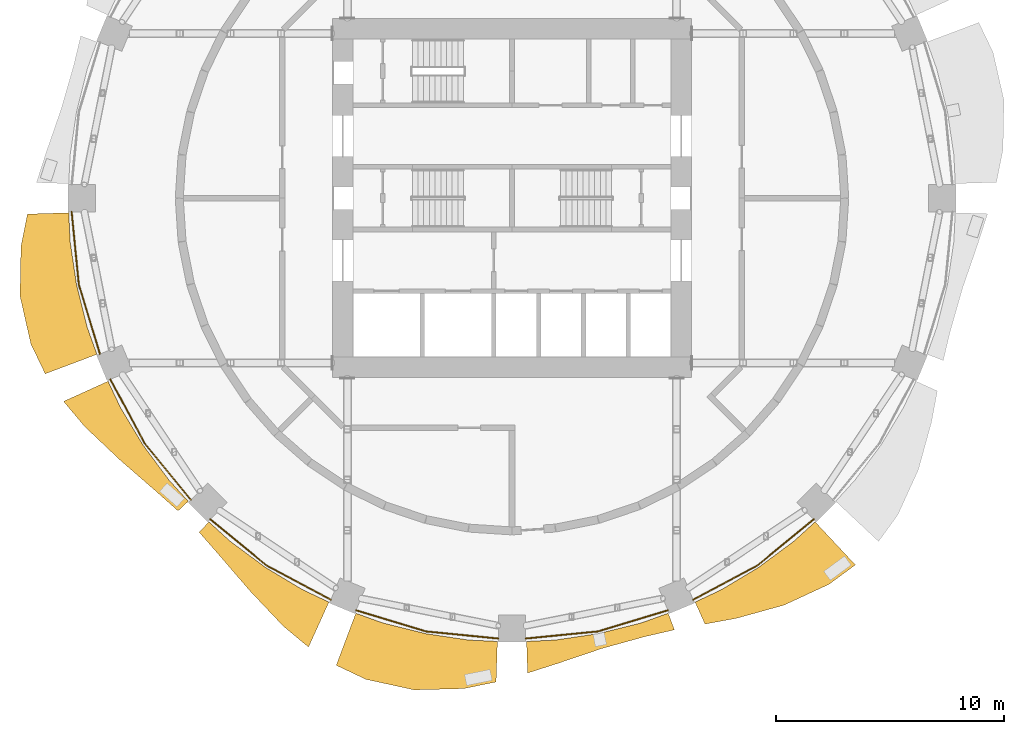
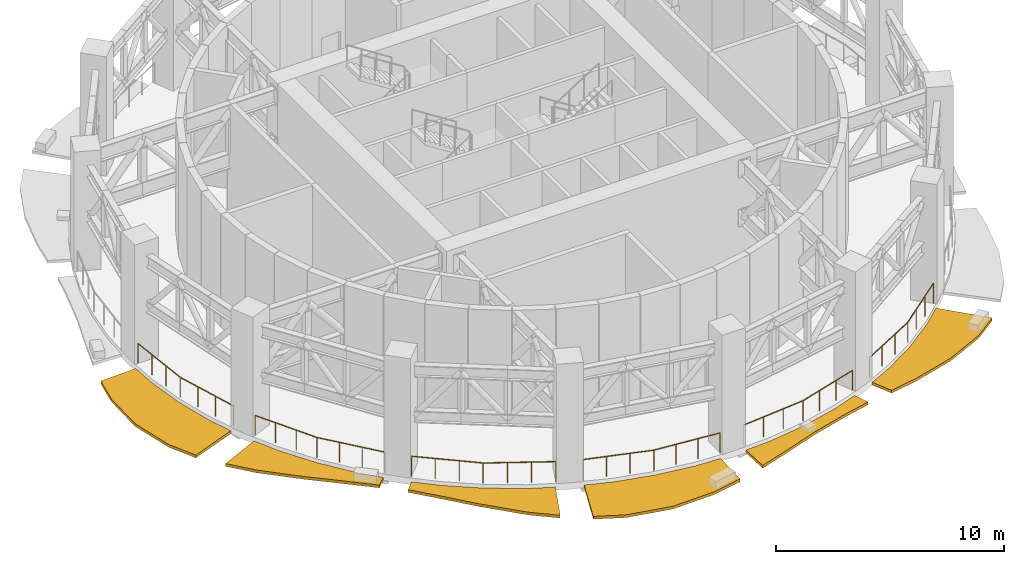
# One storey, part 10 of 14: 6 railings, 6 shading devices.
"""IFC4 building model written with IfcOpenShell, lengths in metres."""

from ifc_helpers import new_model, si_unit, direction, frame, origin, origin_2d, place, context, subcontext, project, spatial, polyline, circle, outline, extrude, material, type_object, element, save


model = new_model("IFC4")

# Units and contexts
model_context = context("Model", 3, precision=1e-05, world=origin(), true_north=direction((0.0, 1.0)))
body_context = subcontext(model_context, "Body", "Model", "MODEL_VIEW")
ifc_project = project(units=[si_unit("LENGTHUNIT", "METRE"), si_unit("AREAUNIT", "SQUARE_METRE"), si_unit("VOLUMEUNIT", "CUBIC_METRE"), si_unit("PLANEANGLEUNIT", "RADIAN"), si_unit("MASSUNIT", "GRAM", prefix="KILO")], contexts=[model_context])

# Site, building, storey
site_placement = place(None, origin())
site = spatial("IfcSite", under=ifc_project, at=site_placement, CompositionType="ELEMENT")
building_placement = place(site_placement, origin())
building = spatial("IfcBuilding", under=site, at=building_placement, Name="Polderwave Tower", CompositionType="ELEMENT")
storey_placement = place(building_placement, frame((0.0, 0.0, 66.35009765625)))
storey = spatial("IfcBuildingStorey", under=building, at=storey_placement, Name="L17", CompositionType="ELEMENT", Elevation=66.35009765625)

# Shading devices
ifc_material_1 = material(Name="Terracotta", Category="masonry")
shading_device_type = type_object("IfcShadingDeviceType", Name="Terracotta sunshade band", PredefinedType="USERDEFINED", material=ifc_material_1)
shading_device_1_placement = place(storey_placement, frame((0.0, 0.0, -0.35009765625)))
element("IfcShadingDevice", 1, at=shading_device_1_placement, inside=storey, type_object=shading_device_type, Name="Sunshade band L17 9", ObjectType="SUNSHADE", PredefinedType="USERDEFINED", context=body_context, shape_type="SweptSolid", body=[
    extrude(outline(polyline([(-19.448486328125, -0.638427734375), (-19.38623046875, -1.909423828125), (-19.105712890625, -3.80029296875), (-18.64111328125, -5.65478515625), (-18.21240234375, -6.852783203125), (-20.480224609375, -7.706298828125), (-21.10791015625, -6.403076171875), (-21.5869140625, -4.2939453125), (-21.54443359375, -2.121826171875), (-21.2587890625, -0.69775390625), (-19.448486328125, -0.638427734375)])), origin(), (0.0, 0.0, 1.0), 0.14990234375),
])
shading_device_2_placement = place(storey_placement, frame((0.0, 0.0, -0.35009765625)))
element("IfcShadingDevice", 2, at=shading_device_2_placement, inside=storey, type_object=shading_device_type, Name="Sunshade band L17 10", ObjectType="SUNSHADE", PredefinedType="USERDEFINED", context=body_context, shape_type="SweptSolid", body=[
    extrude(outline(polyline([(-17.723876953125, -8.032470703125), (-17.1796875, -9.182861328125), (-16.197021484375, -10.822509765625), (-15.05810546875, -12.35791015625), (-14.20361328125, -13.30078125), (-14.653564453125, -13.72216796875), (-15.6455078125, -12.840087890625), (-17.197021484375, -11.49072265625), (-18.749267578125, -10.021728515625), (-19.6748046875, -8.91650390625), (-17.723876953125, -8.032470703125)])), origin(), (0.0, 0.0, 1.0), 0.14990234375),
])
shading_device_3_placement = place(storey_placement, frame((0.0, 0.0, -0.35009765625)))
element("IfcShadingDevice", 3, at=shading_device_3_placement, inside=storey, type_object=shading_device_type, Name="Sunshade band L17 11", ObjectType="SUNSHADE", PredefinedType="USERDEFINED", context=body_context, shape_type="SweptSolid", body=[
    extrude(outline(polyline([(-13.30078125, -14.20361328125), (-12.35791015625, -15.05810546875), (-10.822509765625, -16.197021484375), (-9.182861328125, -17.1796875), (-8.032470703125, -17.723876953125), (-8.927490234375, -19.69873046875), (-10.036376953125, -18.776611328125), (-11.507080078125, -17.221435546875), (-12.851318359375, -15.6591796875), (-13.726318359375, -14.658203125), (-13.30078125, -14.20361328125)])), origin(), (0.0, 0.0, 1.0), 0.14990234375),
])
shading_device_4_placement = place(storey_placement, frame((0.0, 0.0, -0.35009765625)))
element("IfcShadingDevice", 4, at=shading_device_4_placement, inside=storey, type_object=shading_device_type, Name="Sunshade band L17 12", ObjectType="SUNSHADE", PredefinedType="USERDEFINED", context=body_context, shape_type="SweptSolid", body=[
    extrude(outline(polyline([(-6.852783203125, -18.21240234375), (-5.65478515625, -18.64111328125), (-3.80029296875, -19.105712890625), (-1.909423828125, -19.38623046875), (-0.638427734375, -19.448486328125), (-0.69677734375, -21.227783203125), (-2.119384765625, -21.518310546875), (-4.29150390625, -21.574951171875), (-6.40478515625, -21.11376953125), (-7.71240234375, -20.49658203125), (-6.852783203125, -18.21240234375)])), origin(), (0.0, 0.0, 1.0), 0.14990234375),
])
shading_device_5_placement = place(storey_placement, frame((0.0, 0.0, -0.35009765625)))
element("IfcShadingDevice", 5, at=shading_device_5_placement, inside=storey, type_object=shading_device_type, Name="Sunshade band L17 13", ObjectType="SUNSHADE", PredefinedType="USERDEFINED", context=body_context, shape_type="SweptSolid", body=[
    extrude(outline(polyline([(0.638427734375, -19.448486328125), (1.909423828125, -19.38623046875), (3.80029296875, -19.105712890625), (5.65478515625, -18.64111328125), (6.852783203125, -18.21240234375), (7.126708984375, -18.939697265625), (5.83544921875, -19.23681640625), (3.93115234375, -19.762939453125), (2.010498046875, -20.41259765625), (0.683837890625, -20.8369140625), (0.638427734375, -19.448486328125)])), origin(), (0.0, 0.0, 1.0), 0.14990234375),
])
shading_device_6_placement = place(storey_placement, frame((0.0, 0.0, -0.35009765625)))
element("IfcShadingDevice", 6, at=shading_device_6_placement, inside=storey, type_object=shading_device_type, Name="Sunshade band L17 14", ObjectType="SUNSHADE", PredefinedType="USERDEFINED", context=body_context, shape_type="SweptSolid", body=[
    extrude(outline(polyline([(8.032470703125, -17.723876953125), (9.182861328125, -17.1796875), (10.822509765625, -16.197021484375), (12.35791015625, -15.05810546875), (13.30078125, -14.20361328125), (15.06689453125, -16.089599609375), (13.906005859375, -16.944580078125), (11.93212890625, -17.857666015625), (9.852294921875, -18.4326171875), (8.46923828125, -18.6875), (8.032470703125, -17.723876953125)])), origin(), (0.0, 0.0, 1.0), 0.14990234375),
])

# Railings
ifc_material_2 = material(Name="Stainless steel 316", Category="steel")
railing_type = type_object("IfcRailingType", Name="Wind floor guard 1100", PredefinedType="GUARDRAIL", material=ifc_material_2)
railing_1_placement = place(storey_placement, frame((-19.32080078125, -0.60009765625, 0.0)))
element("IfcRailing", 7, at=railing_1_placement, inside=storey, type_object=railing_type, Name="Wind floor guard L17 9", PredefinedType="GUARDRAIL", context=body_context, shape_type="SweptSolid", body=[
    extrude(circle(Radius=0.02490234375, at=origin_2d()), frame((0.0, 0.0, 1.0751953125), z_axis=(0.097998644661, -0.995186548163, 0.0), x_axis=(0.995186548163, 0.097998644661, 0.0)), (0.0, 0.0, 1.0), 3.1962890625),
    extrude(circle(Radius=0.02490234375, at=origin_2d()), frame((0.313232421875, -3.180908203125, 1.0751953125), z_axis=(0.290261786496, -0.956947279269, 0.0), x_axis=(0.956947279269, 0.290261786496, 0.0)), (0.0, 0.0, 1.0), 3.1962890625),
    extrude(circle(Radius=0.02001953125, at=origin_2d()), origin(), (0.0, 0.0, 1.0), 1.050048828125),
    extrude(circle(Radius=0.02001953125, at=origin_2d()), frame((0.1044921875, -1.060302734375, 0.0)), (0.0, 0.0, 1.0), 1.050048828125),
    extrude(circle(Radius=0.02001953125, at=origin_2d()), frame((0.208740234375, -2.12060546875, 0.0)), (0.0, 0.0, 1.0), 1.050048828125),
    extrude(circle(Radius=0.02001953125, at=origin_2d()), frame((0.313232421875, -3.180908203125, 0.0)), (0.0, 0.0, 1.0), 1.050048828125),
    extrude(circle(Radius=0.02001953125, at=origin_2d()), frame((0.62255859375, -4.200439453125, 0.0)), (0.0, 0.0, 1.0), 1.050048828125),
    extrude(circle(Radius=0.02001953125, at=origin_2d()), frame((0.931640625, -5.219970703125, 0.0)), (0.0, 0.0, 1.0), 1.050048828125),
    extrude(circle(Radius=0.02001953125, at=origin_2d()), frame((1.240966796875, -6.239501953125, 0.0)), (0.0, 0.0, 1.0), 1.050048828125),
])
railing_2_placement = place(storey_placement, frame((-17.62060546875, -7.947998046875, 0.0)))
element("IfcRailing", 8, at=railing_2_placement, inside=storey, type_object=railing_type, Name="Wind floor guard L17 10", PredefinedType="GUARDRAIL", context=body_context, shape_type="SweptSolid", body=[
    extrude(circle(Radius=0.02490234375, at=origin_2d()), frame((0.0, 0.0, 1.0751953125), z_axis=(0.471337323832, -0.881953018682, 0.0), x_axis=(0.881953018682, 0.471337323832, 0.0)), (0.0, 0.0, 1.0), 3.196533203125),
    extrude(circle(Radius=0.02490234375, at=origin_2d()), frame((1.506591796875, -2.819091796875, 1.0751953125), z_axis=(0.634426630957, -0.772983085153, 0.0), x_axis=(0.772983085153, 0.634426630957, 0.0)), (0.0, 0.0, 1.0), 3.1962890625),
    extrude(circle(Radius=0.02001953125, at=origin_2d()), origin(), (0.0, 0.0, 1.0), 1.050048828125),
    extrude(circle(Radius=0.02001953125, at=origin_2d()), frame((0.502197265625, -0.939697265625, 0.0)), (0.0, 0.0, 1.0), 1.050048828125),
    extrude(circle(Radius=0.02001953125, at=origin_2d()), frame((1.00439453125, -1.87939453125, 0.0)), (0.0, 0.0, 1.0), 1.050048828125),
    extrude(circle(Radius=0.02001953125, at=origin_2d()), frame((1.506591796875, -2.819091796875, 0.0)), (0.0, 0.0, 1.0), 1.050048828125),
    extrude(circle(Radius=0.02001953125, at=origin_2d()), frame((2.1826171875, -3.642578125, 0.0)), (0.0, 0.0, 1.0), 1.050048828125),
    extrude(circle(Radius=0.02001953125, at=origin_2d()), frame((2.8583984375, -4.46630859375, 0.0)), (0.0, 0.0, 1.0), 1.050048828125),
    extrude(circle(Radius=0.02001953125, at=origin_2d()), frame((3.534423828125, -5.289794921875, 0.0)), (0.0, 0.0, 1.0), 1.050048828125),
])
railing_3_placement = place(storey_placement, frame((-13.23779296875, -14.086181640625, 0.0)))
element("IfcRailing", 9, at=railing_3_placement, inside=storey, type_object=railing_type, Name="Wind floor guard L17 11", PredefinedType="GUARDRAIL", context=body_context, shape_type="SweptSolid", body=[
    extrude(circle(Radius=0.02490234375, at=origin_2d()), frame((0.0, 0.0, 1.0751953125), z_axis=(0.772983085153, -0.634426630957, 0.0), x_axis=(0.634426630957, 0.772983085153, 0.0)), (0.0, 0.0, 1.0), 3.1962890625),
    extrude(circle(Radius=0.02490234375, at=origin_2d()), frame((2.470703125, -2.02783203125, 1.0751953125), z_axis=(0.881953018682, -0.471337323832, 0.0), x_axis=(0.471337323832, 0.881953018682, 0.0)), (0.0, 0.0, 1.0), 3.196533203125),
    extrude(circle(Radius=0.02001953125, at=origin_2d()), origin(), (0.0, 0.0, 1.0), 1.050048828125),
    extrude(circle(Radius=0.02001953125, at=origin_2d()), frame((0.823486328125, -0.676025390625, 0.0)), (0.0, 0.0, 1.0), 1.050048828125),
    extrude(circle(Radius=0.02001953125, at=origin_2d()), frame((1.647216796875, -1.351806640625, 0.0)), (0.0, 0.0, 1.0), 1.050048828125),
    extrude(circle(Radius=0.02001953125, at=origin_2d()), frame((2.470703125, -2.02783203125, 0.0)), (0.0, 0.0, 1.0), 1.050048828125),
    extrude(circle(Radius=0.02001953125, at=origin_2d()), frame((3.410400390625, -2.530029296875, 0.0)), (0.0, 0.0, 1.0), 1.050048828125),
    extrude(circle(Radius=0.02001953125, at=origin_2d()), frame((4.35009765625, -3.0322265625, 0.0)), (0.0, 0.0, 1.0), 1.050048828125),
    extrude(circle(Radius=0.02001953125, at=origin_2d()), frame((5.289794921875, -3.534423828125, 0.0)), (0.0, 0.0, 1.0), 1.050048828125),
])
railing_4_placement = place(storey_placement, frame((-6.839599609375, -18.079833984375, 0.0)))
element("IfcRailing", 10, at=railing_4_placement, inside=storey, type_object=railing_type, Name="Wind floor guard L17 12", PredefinedType="GUARDRAIL", context=body_context, shape_type="SweptSolid", body=[
    extrude(circle(Radius=0.02490234375, at=origin_2d()), frame((0.0, 0.0, 1.0751953125), z_axis=(0.956947279269, -0.290261786496, 0.0), x_axis=(0.290261786496, 0.956947279269, 0.0)), (0.0, 0.0, 1.0), 3.1962890625),
    extrude(circle(Radius=0.02490234375, at=origin_2d()), frame((3.05859375, -0.927734375, 1.0751953125), z_axis=(0.995186548163, -0.097998644661, 0.0), x_axis=(0.097998644661, 0.995186548163, 0.0)), (0.0, 0.0, 1.0), 3.1962890625),
    extrude(circle(Radius=0.02001953125, at=origin_2d()), origin(), (0.0, 0.0, 1.0), 1.050048828125),
    extrude(circle(Radius=0.02001953125, at=origin_2d()), frame((1.01953125, -0.309326171875, 0.0)), (0.0, 0.0, 1.0), 1.050048828125),
    extrude(circle(Radius=0.02001953125, at=origin_2d()), frame((2.0390625, -0.618408203125, 0.0)), (0.0, 0.0, 1.0), 1.050048828125),
    extrude(circle(Radius=0.02001953125, at=origin_2d()), frame((3.05859375, -0.927734375, 0.0)), (0.0, 0.0, 1.0), 1.050048828125),
    extrude(circle(Radius=0.02001953125, at=origin_2d()), frame((4.118896484375, -1.0322265625, 0.0)), (0.0, 0.0, 1.0), 1.050048828125),
    extrude(circle(Radius=0.02001953125, at=origin_2d()), frame((5.17919921875, -1.136474609375, 0.0)), (0.0, 0.0, 1.0), 1.050048828125),
    extrude(circle(Radius=0.02001953125, at=origin_2d()), frame((6.239501953125, -1.240966796875, 0.0)), (0.0, 0.0, 1.0), 1.050048828125),
])
railing_5_placement = place(storey_placement, frame((0.60009765625, -19.32080078125, 0.0)))
element("IfcRailing", 11, at=railing_5_placement, inside=storey, type_object=railing_type, Name="Wind floor guard L17 13", PredefinedType="GUARDRAIL", context=body_context, shape_type="SweptSolid", body=[
    extrude(circle(Radius=0.02490234375, at=origin_2d()), frame((0.0, 0.0, 1.0751953125), z_axis=(0.995186548163, 0.097998644661, 0.0), x_axis=(-0.097998644661, 0.995186548163, 0.0)), (0.0, 0.0, 1.0), 3.1962890625),
    extrude(circle(Radius=0.02490234375, at=origin_2d()), frame((3.180908203125, 0.313232421875, 1.0751953125), z_axis=(0.956947279269, 0.290261786496, 0.0), x_axis=(-0.290261786496, 0.956947279269, 0.0)), (0.0, 0.0, 1.0), 3.1962890625),
    extrude(circle(Radius=0.02001953125, at=origin_2d()), origin(), (0.0, 0.0, 1.0), 1.050048828125),
    extrude(circle(Radius=0.02001953125, at=origin_2d()), frame((1.060302734375, 0.1044921875, 0.0)), (0.0, 0.0, 1.0), 1.050048828125),
    extrude(circle(Radius=0.02001953125, at=origin_2d()), frame((2.12060546875, 0.208740234375, 0.0)), (0.0, 0.0, 1.0), 1.050048828125),
    extrude(circle(Radius=0.02001953125, at=origin_2d()), frame((3.180908203125, 0.313232421875, 0.0)), (0.0, 0.0, 1.0), 1.050048828125),
    extrude(circle(Radius=0.02001953125, at=origin_2d()), frame((4.200439453125, 0.62255859375, 0.0)), (0.0, 0.0, 1.0), 1.050048828125),
    extrude(circle(Radius=0.02001953125, at=origin_2d()), frame((5.219970703125, 0.931640625, 0.0)), (0.0, 0.0, 1.0), 1.050048828125),
    extrude(circle(Radius=0.02001953125, at=origin_2d()), frame((6.239501953125, 1.240966796875, 0.0)), (0.0, 0.0, 1.0), 1.050048828125),
])
railing_6_placement = place(storey_placement, frame((7.947998046875, -17.62060546875, 0.0)))
element("IfcRailing", 12, at=railing_6_placement, inside=storey, type_object=railing_type, Name="Wind floor guard L17 14", PredefinedType="GUARDRAIL", context=body_context, shape_type="SweptSolid", body=[
    extrude(circle(Radius=0.02490234375, at=origin_2d()), frame((0.0, 0.0, 1.0751953125), z_axis=(0.881953018682, 0.471337323832, 0.0), x_axis=(-0.471337323832, 0.881953018682, 0.0)), (0.0, 0.0, 1.0), 3.196533203125),
    extrude(circle(Radius=0.02490234375, at=origin_2d()), frame((2.819091796875, 1.506591796875, 1.0751953125), z_axis=(0.772983085153, 0.634426630957, 0.0), x_axis=(-0.634426630957, 0.772983085153, 0.0)), (0.0, 0.0, 1.0), 3.1962890625),
    extrude(circle(Radius=0.02001953125, at=origin_2d()), origin(), (0.0, 0.0, 1.0), 1.050048828125),
    extrude(circle(Radius=0.02001953125, at=origin_2d()), frame((0.939697265625, 0.502197265625, 0.0)), (0.0, 0.0, 1.0), 1.050048828125),
    extrude(circle(Radius=0.02001953125, at=origin_2d()), frame((1.87939453125, 1.00439453125, 0.0)), (0.0, 0.0, 1.0), 1.050048828125),
    extrude(circle(Radius=0.02001953125, at=origin_2d()), frame((2.819091796875, 1.506591796875, 0.0)), (0.0, 0.0, 1.0), 1.050048828125),
    extrude(circle(Radius=0.02001953125, at=origin_2d()), frame((3.642578125, 2.1826171875, 0.0)), (0.0, 0.0, 1.0), 1.050048828125),
    extrude(circle(Radius=0.02001953125, at=origin_2d()), frame((4.46630859375, 2.8583984375, 0.0)), (0.0, 0.0, 1.0), 1.050048828125),
    extrude(circle(Radius=0.02001953125, at=origin_2d()), frame((5.289794921875, 3.534423828125, 0.0)), (0.0, 0.0, 1.0), 1.050048828125),
])

save(model, "model.ifc")
